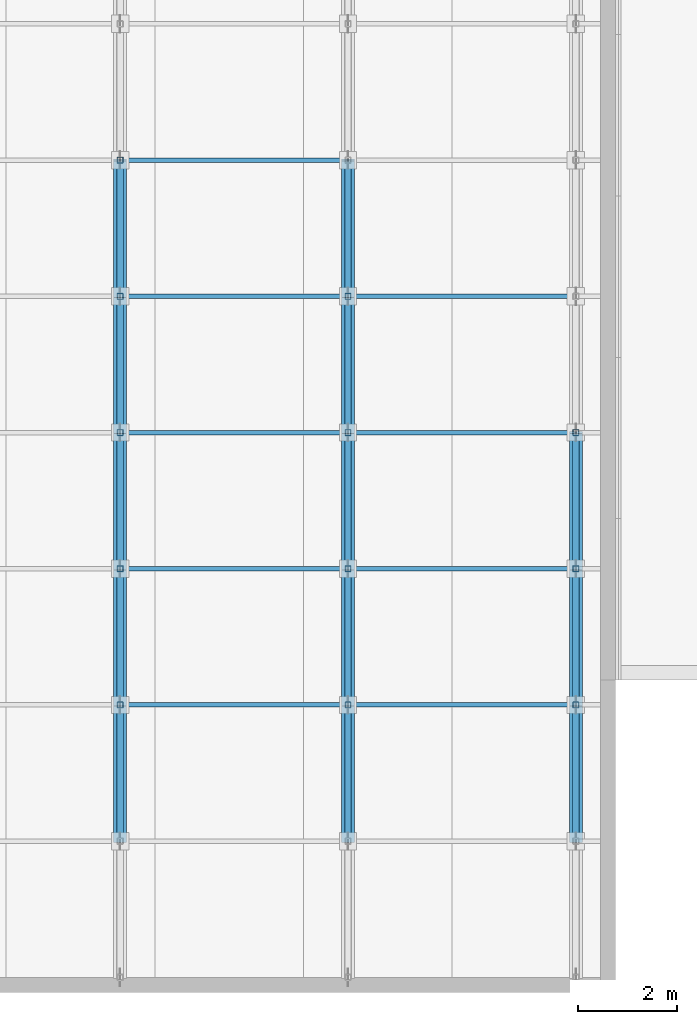
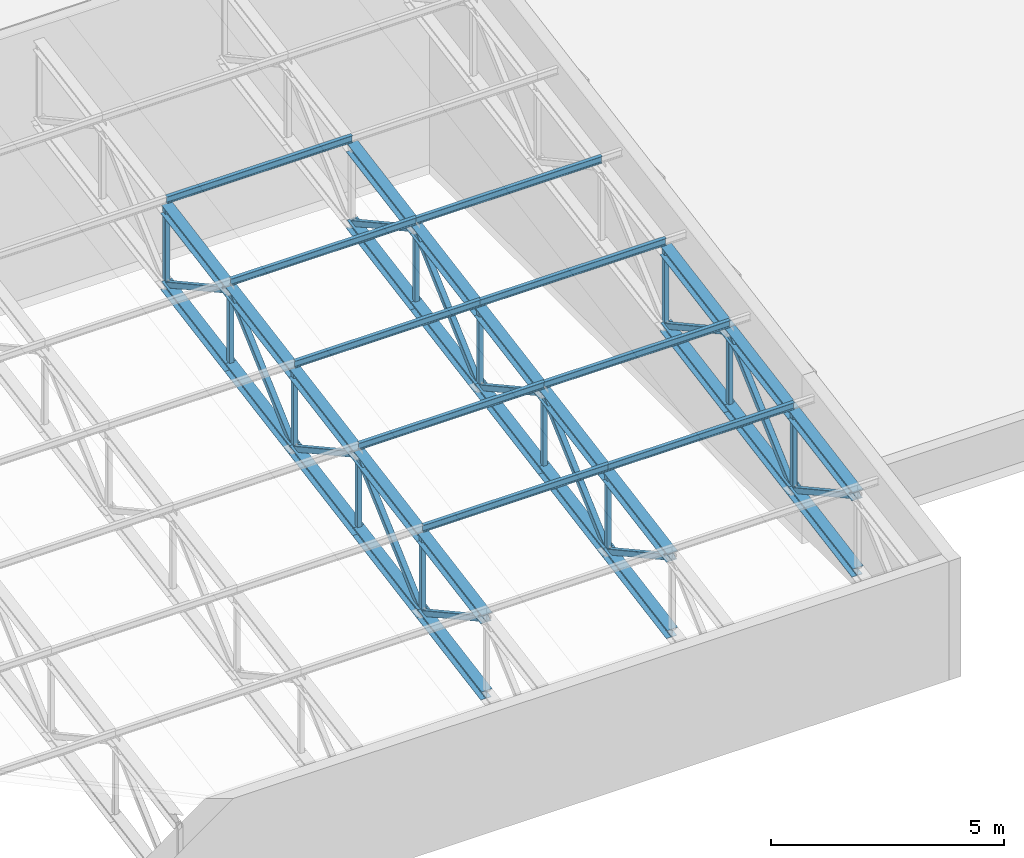
# One storey, part 5 of 22: 60 members.
"""IFC4 building model written with IfcOpenShell, lengths in metres."""

from ifc_helpers import new_model, si_unit, direction, frame, origin, origin_2d, place, context, subcontext, project, spatial, hollow_rectangle, i_section, extrude, material, material_profile, profile_set, type_object, element, save


model = new_model("IFC4")

# Units and contexts
model_context = context("Model", 3, precision=1e-05, world=origin(), true_north=direction((0.0, 1.0)))
body_context = subcontext(model_context, "Body", "Model", "MODEL_VIEW")
ifc_project = project(units=[si_unit("LENGTHUNIT", "METRE"), si_unit("AREAUNIT", "SQUARE_METRE"), si_unit("VOLUMEUNIT", "CUBIC_METRE"), si_unit("PLANEANGLEUNIT", "RADIAN"), si_unit("MASSUNIT", "GRAM", prefix="KILO")], contexts=[model_context])

# Site, building, storey
site_placement = place(None, origin())
site = spatial("IfcSite", under=ifc_project, at=site_placement, CompositionType="ELEMENT")
building_placement = place(site_placement, origin())
building = spatial("IfcBuilding", under=site, at=building_placement, Name="Lunette Opera House", CompositionType="ELEMENT")
storey_placement = place(building_placement, frame((0.0, 0.0, 28.0)))
storey = spatial("IfcBuildingStorey", under=building, at=storey_placement, Name="L05", CompositionType="ELEMENT", Elevation=28.0)

# Members
ifc_material_1 = material(Name="Steel S355", Category="steel")
ifc_material_profile_1 = material_profile(ifc_material_1, i_section(OverallWidth=0.260009765625, OverallDepth=0.25, WebThickness=0.007568359375, FlangeThickness=0.012451171875, FilletRadius=0.02392578125, at=origin_2d()), Name="HEA 260")
ifc_profile_set_1 = profile_set([ifc_material_profile_1], Name="Steel S355")
member_type_1 = type_object("IfcMemberType", Name="CHORD HEA 260", PredefinedType="CHORD", material=ifc_profile_set_1)
for number, where, z_axis, x_axis, name in (
    (1, (24.300048828125, 68.75, 3.179931640625), (0.0, 0.984794998673, 0.173720495593), (-1.0, 0.0, 0.0), "mem-RW-L05-LF-4-TC2"),
    (2, (24.300048828125, 68.75, 1.179931640625), (0.0, 0.984794998673, 0.173720495593), (-1.0, 0.0, 0.0), "mem-RW-L05-LF-4-BC2"),
    (3, (24.300048828125, 71.5, 3.6650390625), (0.0, 0.984809952442, 0.173635703618), (-1.0, 0.0, 0.0), "mem-RW-L05-LF-4-TC3"),
    (4, (24.300048828125, 71.5, 1.6650390625), (0.0, 0.984809952442, 0.173635703618), (-1.0, 0.0, 0.0), "mem-RW-L05-LF-4-BC3"),
    (5, (24.300048828125, 74.25, 4.14990234375), (0.0, 0.984794998673, 0.173720495593), (-1.0, 0.0, 0.0), "mem-RW-L05-LF-4-TC4"),
    (6, (24.300048828125, 74.25, 2.14990234375), (0.0, 0.984794998673, 0.173720495593), (-1.0, 0.0, 0.0), "mem-RW-L05-LF-4-BC4"),
):
    element("IfcMember", number, at=place(storey_placement, frame(where, z_axis=z_axis, x_axis=x_axis)), inside=storey, type_object=member_type_1, Name=name, PredefinedType="CHORD", context=body_context, shape_type="SweptSolid", body=[
        extrude(i_section(OverallWidth=0.260009765625, OverallDepth=0.25, WebThickness=0.007568359375, FlangeThickness=0.012451171875, FilletRadius=0.02392578125, at=origin_2d()), origin(), (0.0, 0.0, 1.0), 2.79248046875),
    ])
for number, where, z_axis, x_axis, name in (
    (7, (24.300048828125, 77.0, 4.635009765625), (0.0, 0.98486969904, 0.173296497115), (-1.0, 0.0, 0.0), "mem-RW-L05-LF-4-TC5"),
    (8, (24.300048828125, 77.0, 2.635009765625), (0.0, 0.98486969904, 0.173296497115), (-1.0, 0.0, 0.0), "mem-RW-L05-LF-4-BC5"),
):
    element("IfcMember", number, at=place(storey_placement, frame(where, z_axis=z_axis, x_axis=x_axis)), inside=storey, type_object=member_type_1, Name=name, PredefinedType="CHORD", context=body_context, shape_type="SweptSolid", body=[
        extrude(i_section(OverallWidth=0.260009765625, OverallDepth=0.25, WebThickness=0.007568359375, FlangeThickness=0.012451171875, FilletRadius=0.02392578125, at=origin_2d()), origin(), (0.0, 0.0, 1.0), 2.792236328125),
    ])
for number, where, z_axis, x_axis, name in (
    (9, (24.300048828125, 79.75, 5.118896484375), (0.0, 0.984794998673, 0.173720495593), (-1.0, 0.0, 0.0), "mem-RW-L05-LF-4-TC6"),
    (10, (24.300048828125, 79.75, 3.118896484375), (0.0, 0.984794998673, 0.173720495593), (-1.0, 0.0, 0.0), "mem-RW-L05-LF-4-BC6"),
    (11, (28.89990234375, 68.75, 3.179931640625), (0.0, 0.984794998673, 0.173720495593), (-1.0, 0.0, 0.0), "mem-RW-L05-LF-5-TC2"),
    (12, (28.89990234375, 68.75, 1.179931640625), (0.0, 0.984794998673, 0.173720495593), (-1.0, 0.0, 0.0), "mem-RW-L05-LF-5-BC2"),
    (13, (28.89990234375, 71.5, 3.6650390625), (0.0, 0.984809952442, 0.173635703618), (-1.0, 0.0, 0.0), "mem-RW-L05-LF-5-TC3"),
    (14, (28.89990234375, 71.5, 1.6650390625), (0.0, 0.984809952442, 0.173635703618), (-1.0, 0.0, 0.0), "mem-RW-L05-LF-5-BC3"),
    (15, (28.89990234375, 74.25, 4.14990234375), (0.0, 0.984794998673, 0.173720495593), (-1.0, 0.0, 0.0), "mem-RW-L05-LF-5-TC4"),
    (16, (28.89990234375, 74.25, 2.14990234375), (0.0, 0.984794998673, 0.173720495593), (-1.0, 0.0, 0.0), "mem-RW-L05-LF-5-BC4"),
):
    element("IfcMember", number, at=place(storey_placement, frame(where, z_axis=z_axis, x_axis=x_axis)), inside=storey, type_object=member_type_1, Name=name, PredefinedType="CHORD", context=body_context, shape_type="SweptSolid", body=[
        extrude(i_section(OverallWidth=0.260009765625, OverallDepth=0.25, WebThickness=0.007568359375, FlangeThickness=0.012451171875, FilletRadius=0.02392578125, at=origin_2d()), origin(), (0.0, 0.0, 1.0), 2.79248046875),
    ])
for number, where, z_axis, x_axis, name in (
    (17, (28.89990234375, 77.0, 4.635009765625), (0.0, 0.98486969904, 0.173296497115), (-1.0, 0.0, 0.0), "mem-RW-L05-LF-5-TC5"),
    (18, (28.89990234375, 77.0, 2.635009765625), (0.0, 0.98486969904, 0.173296497115), (-1.0, 0.0, 0.0), "mem-RW-L05-LF-5-BC5"),
):
    element("IfcMember", number, at=place(storey_placement, frame(where, z_axis=z_axis, x_axis=x_axis)), inside=storey, type_object=member_type_1, Name=name, PredefinedType="CHORD", context=body_context, shape_type="SweptSolid", body=[
        extrude(i_section(OverallWidth=0.260009765625, OverallDepth=0.25, WebThickness=0.007568359375, FlangeThickness=0.012451171875, FilletRadius=0.02392578125, at=origin_2d()), origin(), (0.0, 0.0, 1.0), 2.792236328125),
    ])
for number, where, z_axis, x_axis, name in (
    (19, (28.89990234375, 79.75, 5.118896484375), (0.0, 0.984794998673, 0.173720495593), (-1.0, 0.0, 0.0), "mem-RW-L05-LF-5-TC6"),
    (20, (28.89990234375, 79.75, 3.118896484375), (0.0, 0.984794998673, 0.173720495593), (-1.0, 0.0, 0.0), "mem-RW-L05-LF-5-BC6"),
    (21, (33.5, 68.75, 3.179931640625), (0.0, 0.984794998673, 0.173720495593), (-1.0, 0.0, 0.0), "mem-RW-L05-LF-6-TC2"),
    (22, (33.5, 68.75, 1.179931640625), (0.0, 0.984794998673, 0.173720495593), (-1.0, 0.0, 0.0), "mem-RW-L05-LF-6-BC2"),
    (23, (33.5, 71.5, 3.6650390625), (0.0, 0.984809952442, 0.173635703618), (-1.0, 0.0, 0.0), "mem-RW-L05-LF-6-TC3"),
    (24, (33.5, 71.5, 1.6650390625), (0.0, 0.984809952442, 0.173635703618), (-1.0, 0.0, 0.0), "mem-RW-L05-LF-6-BC3"),
    (25, (33.5, 74.25, 4.14990234375), (0.0, 0.984794998673, 0.173720495593), (-1.0, 0.0, 0.0), "mem-RW-L05-LF-6-TC4"),
    (26, (33.5, 74.25, 2.14990234375), (0.0, 0.984794998673, 0.173720495593), (-1.0, 0.0, 0.0), "mem-RW-L05-LF-6-BC4"),
):
    element("IfcMember", number, at=place(storey_placement, frame(where, z_axis=z_axis, x_axis=x_axis)), inside=storey, type_object=member_type_1, Name=name, PredefinedType="CHORD", context=body_context, shape_type="SweptSolid", body=[
        extrude(i_section(OverallWidth=0.260009765625, OverallDepth=0.25, WebThickness=0.007568359375, FlangeThickness=0.012451171875, FilletRadius=0.02392578125, at=origin_2d()), origin(), (0.0, 0.0, 1.0), 2.79248046875),
    ])
ifc_material_2 = material(Name="Steel S355", Category="steel")
ifc_material_profile_2 = material_profile(ifc_material_2, hollow_rectangle(XDim=0.139892578125, YDim=0.139892578125, WallThickness=0.006103515625, InnerFilletRadius=0.006103515625, OuterFilletRadius=0.011962890625, at=origin_2d()), Name="RHS 140X140X6")
ifc_profile_set_2 = profile_set([ifc_material_profile_2], Name="Steel S355")
member_type_2 = type_object("IfcMemberType", Name="DIAGONAL RHS 140X140X6", PredefinedType="BRACE", material=ifc_profile_set_2)
member_1_placement = place(storey_placement, frame((24.300048828125, 68.75, 3.179931640625), z_axis=(0.0, 0.875893925299, -0.482503711513), x_axis=(-1.0, 0.0, 0.0)))
element("IfcMember", 27, at=member_1_placement, inside=storey, type_object=member_type_2, Name="mem-RW-L05-LF-4-TD2", PredefinedType="BRACE", context=body_context, shape_type="SweptSolid", body=[
    extrude(hollow_rectangle(XDim=0.139892578125, YDim=0.139892578125, WallThickness=0.006103515625, InnerFilletRadius=0.006103515625, OuterFilletRadius=0.011962890625, at=origin_2d()), origin(), (0.0, 0.0, 1.0), 3.1396484375),
])
member_2_placement = place(storey_placement, frame((24.300048828125, 71.5, 1.6650390625), z_axis=(0.0, 0.741969451931, 0.670433689787), x_axis=(-1.0, 0.0, 0.0)))
element("IfcMember", 28, at=member_2_placement, inside=storey, type_object=member_type_2, Name="mem-RW-L05-LF-4-TD3", PredefinedType="BRACE", context=body_context, shape_type="SweptSolid", body=[
    extrude(hollow_rectangle(XDim=0.139892578125, YDim=0.139892578125, WallThickness=0.006103515625, InnerFilletRadius=0.006103515625, OuterFilletRadius=0.011962890625, at=origin_2d()), origin(), (0.0, 0.0, 1.0), 3.706298828125),
])
member_3_placement = place(storey_placement, frame((24.300048828125, 74.25, 4.14990234375), z_axis=(0.0, 0.875893925299, -0.482503711513), x_axis=(-1.0, 0.0, 0.0)))
element("IfcMember", 29, at=member_3_placement, inside=storey, type_object=member_type_2, Name="mem-RW-L05-LF-4-TD4", PredefinedType="BRACE", context=body_context, shape_type="SweptSolid", body=[
    extrude(hollow_rectangle(XDim=0.139892578125, YDim=0.139892578125, WallThickness=0.006103515625, InnerFilletRadius=0.006103515625, OuterFilletRadius=0.011962890625, at=origin_2d()), origin(), (0.0, 0.0, 1.0), 3.1396484375),
])
member_4_placement = place(storey_placement, frame((24.300048828125, 77.0, 2.635009765625), z_axis=(0.0, 0.742100528467, 0.670288598776), x_axis=(-1.0, 0.0, 0.0)))
element("IfcMember", 30, at=member_4_placement, inside=storey, type_object=member_type_2, Name="mem-RW-L05-LF-4-TD5", PredefinedType="BRACE", context=body_context, shape_type="SweptSolid", body=[
    extrude(hollow_rectangle(XDim=0.139892578125, YDim=0.139892578125, WallThickness=0.006103515625, InnerFilletRadius=0.006103515625, OuterFilletRadius=0.011962890625, at=origin_2d()), origin(), (0.0, 0.0, 1.0), 3.705810546875),
])
for number, where, z_axis, x_axis, name in (
    (31, (24.300048828125, 79.75, 5.118896484375), (0.0, 0.875893925299, -0.482503711513), (-1.0, 0.0, 0.0), "mem-RW-L05-LF-4-TD6"),
    (32, (28.89990234375, 68.75, 3.179931640625), (0.0, 0.875893925299, -0.482503711513), (-1.0, 0.0, 0.0), "mem-RW-L05-LF-5-TD2"),
):
    element("IfcMember", number, at=place(storey_placement, frame(where, z_axis=z_axis, x_axis=x_axis)), inside=storey, type_object=member_type_2, Name=name, PredefinedType="BRACE", context=body_context, shape_type="SweptSolid", body=[
        extrude(hollow_rectangle(XDim=0.139892578125, YDim=0.139892578125, WallThickness=0.006103515625, InnerFilletRadius=0.006103515625, OuterFilletRadius=0.011962890625, at=origin_2d()), origin(), (0.0, 0.0, 1.0), 3.1396484375),
    ])
member_5_placement = place(storey_placement, frame((28.89990234375, 71.5, 1.6650390625), z_axis=(0.0, 0.741969451931, 0.670433689787), x_axis=(-1.0, 0.0, 0.0)))
element("IfcMember", 33, at=member_5_placement, inside=storey, type_object=member_type_2, Name="mem-RW-L05-LF-5-TD3", PredefinedType="BRACE", context=body_context, shape_type="SweptSolid", body=[
    extrude(hollow_rectangle(XDim=0.139892578125, YDim=0.139892578125, WallThickness=0.006103515625, InnerFilletRadius=0.006103515625, OuterFilletRadius=0.011962890625, at=origin_2d()), origin(), (0.0, 0.0, 1.0), 3.706298828125),
])
member_6_placement = place(storey_placement, frame((28.89990234375, 74.25, 4.14990234375), z_axis=(0.0, 0.875893925299, -0.482503711513), x_axis=(-1.0, 0.0, 0.0)))
element("IfcMember", 34, at=member_6_placement, inside=storey, type_object=member_type_2, Name="mem-RW-L05-LF-5-TD4", PredefinedType="BRACE", context=body_context, shape_type="SweptSolid", body=[
    extrude(hollow_rectangle(XDim=0.139892578125, YDim=0.139892578125, WallThickness=0.006103515625, InnerFilletRadius=0.006103515625, OuterFilletRadius=0.011962890625, at=origin_2d()), origin(), (0.0, 0.0, 1.0), 3.1396484375),
])
member_7_placement = place(storey_placement, frame((28.89990234375, 77.0, 2.635009765625), z_axis=(0.0, 0.742100528467, 0.670288598776), x_axis=(-1.0, 0.0, 0.0)))
element("IfcMember", 35, at=member_7_placement, inside=storey, type_object=member_type_2, Name="mem-RW-L05-LF-5-TD5", PredefinedType="BRACE", context=body_context, shape_type="SweptSolid", body=[
    extrude(hollow_rectangle(XDim=0.139892578125, YDim=0.139892578125, WallThickness=0.006103515625, InnerFilletRadius=0.006103515625, OuterFilletRadius=0.011962890625, at=origin_2d()), origin(), (0.0, 0.0, 1.0), 3.705810546875),
])
for number, where, z_axis, x_axis, name in (
    (36, (28.89990234375, 79.75, 5.118896484375), (0.0, 0.875893925299, -0.482503711513), (-1.0, 0.0, 0.0), "mem-RW-L05-LF-5-TD6"),
    (37, (33.5, 68.75, 3.179931640625), (0.0, 0.875893925299, -0.482503711513), (-1.0, 0.0, 0.0), "mem-RW-L05-LF-6-TD2"),
):
    element("IfcMember", number, at=place(storey_placement, frame(where, z_axis=z_axis, x_axis=x_axis)), inside=storey, type_object=member_type_2, Name=name, PredefinedType="BRACE", context=body_context, shape_type="SweptSolid", body=[
        extrude(hollow_rectangle(XDim=0.139892578125, YDim=0.139892578125, WallThickness=0.006103515625, InnerFilletRadius=0.006103515625, OuterFilletRadius=0.011962890625, at=origin_2d()), origin(), (0.0, 0.0, 1.0), 3.1396484375),
    ])
member_8_placement = place(storey_placement, frame((33.5, 71.5, 1.6650390625), z_axis=(0.0, 0.741969451931, 0.670433689787), x_axis=(-1.0, 0.0, 0.0)))
element("IfcMember", 38, at=member_8_placement, inside=storey, type_object=member_type_2, Name="mem-RW-L05-LF-6-TD3", PredefinedType="BRACE", context=body_context, shape_type="SweptSolid", body=[
    extrude(hollow_rectangle(XDim=0.139892578125, YDim=0.139892578125, WallThickness=0.006103515625, InnerFilletRadius=0.006103515625, OuterFilletRadius=0.011962890625, at=origin_2d()), origin(), (0.0, 0.0, 1.0), 3.706298828125),
])
member_9_placement = place(storey_placement, frame((33.5, 74.25, 4.14990234375), z_axis=(0.0, 0.875893925299, -0.482503711513), x_axis=(-1.0, 0.0, 0.0)))
element("IfcMember", 39, at=member_9_placement, inside=storey, type_object=member_type_2, Name="mem-RW-L05-LF-6-TD4", PredefinedType="BRACE", context=body_context, shape_type="SweptSolid", body=[
    extrude(hollow_rectangle(XDim=0.139892578125, YDim=0.139892578125, WallThickness=0.006103515625, InnerFilletRadius=0.006103515625, OuterFilletRadius=0.011962890625, at=origin_2d()), origin(), (0.0, 0.0, 1.0), 3.1396484375),
])
ifc_material_3 = material(Name="Steel S355", Category="steel")
ifc_material_profile_3 = material_profile(ifc_material_3, i_section(OverallWidth=0.091064453125, OverallDepth=0.179931640625, WebThickness=0.00537109375, FlangeThickness=0.008056640625, FilletRadius=0.009033203125, at=origin_2d()), Name="IPE 180")
ifc_profile_set_3 = profile_set([ifc_material_profile_3], Name="Steel S355")
member_type_3 = type_object("IfcMemberType", Name="PURLIN IPE 180", PredefinedType="PURLIN", material=ifc_profile_set_3)
member_10_placement = place(storey_placement, frame((24.300048828125, 71.5, 3.8798828125), z_axis=(1.0, 0.0, 0.0), x_axis=(0.0, 1.0, 0.0)))
element("IfcMember", 40, at=member_10_placement, inside=storey, type_object=member_type_3, Name="mem-RW-L05-LF-PU2-5", PredefinedType="PURLIN", context=body_context, shape_type="SweptSolid", body=[
    extrude(i_section(OverallWidth=0.091064453125, OverallDepth=0.179931640625, WebThickness=0.00537109375, FlangeThickness=0.008056640625, FilletRadius=0.009033203125, at=origin_2d()), origin(), (0.0, 0.0, 1.0), 4.599853515625),
])
member_11_placement = place(storey_placement, frame((28.89990234375, 71.5, 3.8798828125), z_axis=(1.0, 0.0, 0.0), x_axis=(0.0, 1.0, 0.0)))
element("IfcMember", 41, at=member_11_placement, inside=storey, type_object=member_type_3, Name="mem-RW-L05-LF-PU2-6", PredefinedType="PURLIN", context=body_context, shape_type="SweptSolid", body=[
    extrude(i_section(OverallWidth=0.091064453125, OverallDepth=0.179931640625, WebThickness=0.00537109375, FlangeThickness=0.008056640625, FilletRadius=0.009033203125, at=origin_2d()), origin(), (0.0, 0.0, 1.0), 4.60009765625),
])
member_12_placement = place(storey_placement, frame((24.300048828125, 74.25, 4.364990234375), z_axis=(1.0, 0.0, 0.0), x_axis=(0.0, 1.0, 0.0)))
element("IfcMember", 42, at=member_12_placement, inside=storey, type_object=member_type_3, Name="mem-RW-L05-LF-PU3-5", PredefinedType="PURLIN", context=body_context, shape_type="SweptSolid", body=[
    extrude(i_section(OverallWidth=0.091064453125, OverallDepth=0.179931640625, WebThickness=0.00537109375, FlangeThickness=0.008056640625, FilletRadius=0.009033203125, at=origin_2d()), origin(), (0.0, 0.0, 1.0), 4.599853515625),
])
member_13_placement = place(storey_placement, frame((28.89990234375, 74.25, 4.364990234375), z_axis=(1.0, 0.0, 0.0), x_axis=(0.0, 1.0, 0.0)))
element("IfcMember", 43, at=member_13_placement, inside=storey, type_object=member_type_3, Name="mem-RW-L05-LF-PU3-6", PredefinedType="PURLIN", context=body_context, shape_type="SweptSolid", body=[
    extrude(i_section(OverallWidth=0.091064453125, OverallDepth=0.179931640625, WebThickness=0.00537109375, FlangeThickness=0.008056640625, FilletRadius=0.009033203125, at=origin_2d()), origin(), (0.0, 0.0, 1.0), 4.60009765625),
])
member_14_placement = place(storey_placement, frame((24.300048828125, 77.0, 4.85009765625), z_axis=(1.0, 0.0, 0.0), x_axis=(0.0, 1.0, 0.0)))
element("IfcMember", 44, at=member_14_placement, inside=storey, type_object=member_type_3, Name="mem-RW-L05-LF-PU4-5", PredefinedType="PURLIN", context=body_context, shape_type="SweptSolid", body=[
    extrude(i_section(OverallWidth=0.091064453125, OverallDepth=0.179931640625, WebThickness=0.00537109375, FlangeThickness=0.008056640625, FilletRadius=0.009033203125, at=origin_2d()), origin(), (0.0, 0.0, 1.0), 4.599853515625),
])
member_15_placement = place(storey_placement, frame((28.89990234375, 77.0, 4.85009765625), z_axis=(1.0, 0.0, 0.0), x_axis=(0.0, 1.0, 0.0)))
element("IfcMember", 45, at=member_15_placement, inside=storey, type_object=member_type_3, Name="mem-RW-L05-LF-PU4-6", PredefinedType="PURLIN", context=body_context, shape_type="SweptSolid", body=[
    extrude(i_section(OverallWidth=0.091064453125, OverallDepth=0.179931640625, WebThickness=0.00537109375, FlangeThickness=0.008056640625, FilletRadius=0.009033203125, at=origin_2d()), origin(), (0.0, 0.0, 1.0), 4.60009765625),
])
member_16_placement = place(storey_placement, frame((24.300048828125, 79.75, 5.333984375), z_axis=(1.0, 0.0, 0.0), x_axis=(0.0, 1.0, 0.0)))
element("IfcMember", 46, at=member_16_placement, inside=storey, type_object=member_type_3, Name="mem-RW-L05-LF-PU5-5", PredefinedType="PURLIN", context=body_context, shape_type="SweptSolid", body=[
    extrude(i_section(OverallWidth=0.091064453125, OverallDepth=0.179931640625, WebThickness=0.00537109375, FlangeThickness=0.008056640625, FilletRadius=0.009033203125, at=origin_2d()), origin(), (0.0, 0.0, 1.0), 4.599853515625),
])
member_17_placement = place(storey_placement, frame((28.89990234375, 79.75, 5.333984375), z_axis=(1.0, 0.0, 0.0), x_axis=(0.0, 1.0, 0.0)))
element("IfcMember", 47, at=member_17_placement, inside=storey, type_object=member_type_3, Name="mem-RW-L05-LF-PU5-6", PredefinedType="PURLIN", context=body_context, shape_type="SweptSolid", body=[
    extrude(i_section(OverallWidth=0.091064453125, OverallDepth=0.179931640625, WebThickness=0.00537109375, FlangeThickness=0.008056640625, FilletRadius=0.009033203125, at=origin_2d()), origin(), (0.0, 0.0, 1.0), 4.60009765625),
])
member_18_placement = place(storey_placement, frame((24.300048828125, 82.5, 5.819091796875), z_axis=(1.0, 0.0, 0.0), x_axis=(0.0, 1.0, 0.0)))
element("IfcMember", 48, at=member_18_placement, inside=storey, type_object=member_type_3, Name="mem-RW-L05-LF-PU6-5", PredefinedType="PURLIN", context=body_context, shape_type="SweptSolid", body=[
    extrude(i_section(OverallWidth=0.091064453125, OverallDepth=0.179931640625, WebThickness=0.00537109375, FlangeThickness=0.008056640625, FilletRadius=0.009033203125, at=origin_2d()), origin(), (0.0, 0.0, 1.0), 4.599853515625),
])
ifc_material_4 = material(Name="Steel S355", Category="steel")
ifc_material_profile_4 = material_profile(ifc_material_4, hollow_rectangle(XDim=0.1201171875, YDim=0.1201171875, WallThickness=0.0048828125, InnerFilletRadius=0.0048828125, OuterFilletRadius=0.010009765625, at=origin_2d()), Name="RHS 120X120X5")
ifc_profile_set_4 = profile_set([ifc_material_profile_4], Name="Steel S355")
member_type_4 = type_object("IfcMemberType", Name="VERTICAL RHS 120X120X5", PredefinedType="POST", material=ifc_profile_set_4)
for number, where, z_axis, x_axis, name in (
    (49, (24.300048828125, 71.5, 1.6650390625), (0.0, 0.0, 1.0), (1.0, 0.0, 0.0), "mem-RW-L05-LF-4-TV3"),
    (50, (24.300048828125, 74.25, 2.14990234375), (0.0, 0.0, 1.0), (1.0, 0.0, 0.0), "mem-RW-L05-LF-4-TV4"),
    (51, (24.300048828125, 77.0, 2.635009765625), (0.0, 0.0, 1.0), (1.0, 0.0, 0.0), "mem-RW-L05-LF-4-TV5"),
    (52, (24.300048828125, 79.75, 3.118896484375), (0.0, 0.0, 1.0), (1.0, 0.0, 0.0), "mem-RW-L05-LF-4-TV6"),
    (53, (24.300048828125, 82.5, 3.60400390625), (0.0, 0.0, 1.0), (1.0, 0.0, 0.0), "mem-RW-L05-LF-4-TV7"),
    (54, (28.89990234375, 71.5, 1.6650390625), (0.0, 0.0, 1.0), (1.0, 0.0, 0.0), "mem-RW-L05-LF-5-TV3"),
    (55, (28.89990234375, 74.25, 2.14990234375), (0.0, 0.0, 1.0), (1.0, 0.0, 0.0), "mem-RW-L05-LF-5-TV4"),
    (56, (28.89990234375, 77.0, 2.635009765625), (0.0, 0.0, 1.0), (1.0, 0.0, 0.0), "mem-RW-L05-LF-5-TV5"),
    (57, (28.89990234375, 79.75, 3.118896484375), (0.0, 0.0, 1.0), (1.0, 0.0, 0.0), "mem-RW-L05-LF-5-TV6"),
    (58, (33.5, 71.5, 1.6650390625), (0.0, 0.0, 1.0), (1.0, 0.0, 0.0), "mem-RW-L05-LF-6-TV3"),
    (59, (33.5, 74.25, 2.14990234375), (0.0, 0.0, 1.0), (1.0, 0.0, 0.0), "mem-RW-L05-LF-6-TV4"),
    (60, (33.5, 77.0, 2.635009765625), (0.0, 0.0, 1.0), (1.0, 0.0, 0.0), "mem-RW-L05-LF-6-TV5"),
):
    element("IfcMember", number, at=place(storey_placement, frame(where, z_axis=z_axis, x_axis=x_axis)), inside=storey, type_object=member_type_4, Name=name, PredefinedType="POST", context=body_context, shape_type="SweptSolid", body=[
        extrude(hollow_rectangle(XDim=0.1201171875, YDim=0.1201171875, WallThickness=0.0048828125, InnerFilletRadius=0.0048828125, OuterFilletRadius=0.010009765625, at=origin_2d()), origin(), (0.0, 0.0, 1.0), 2.0),
    ])

save(model, "model.ifc")
